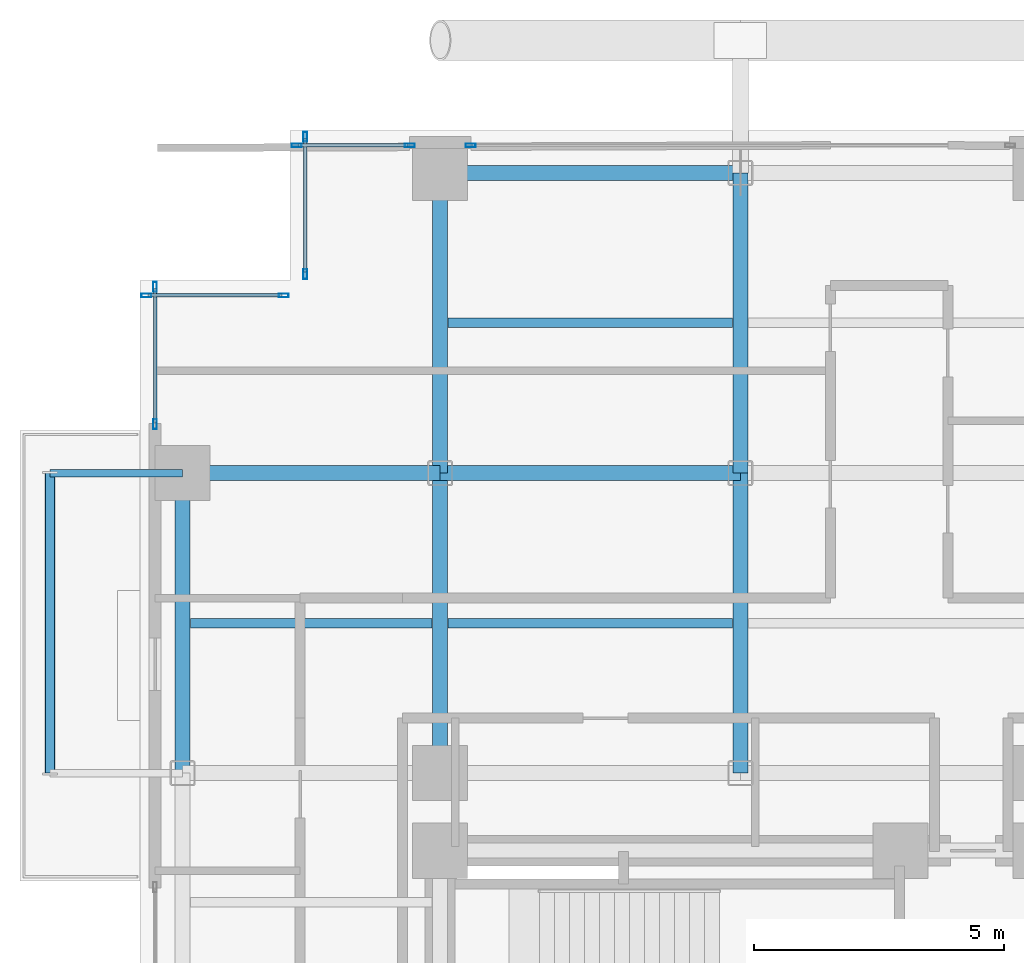
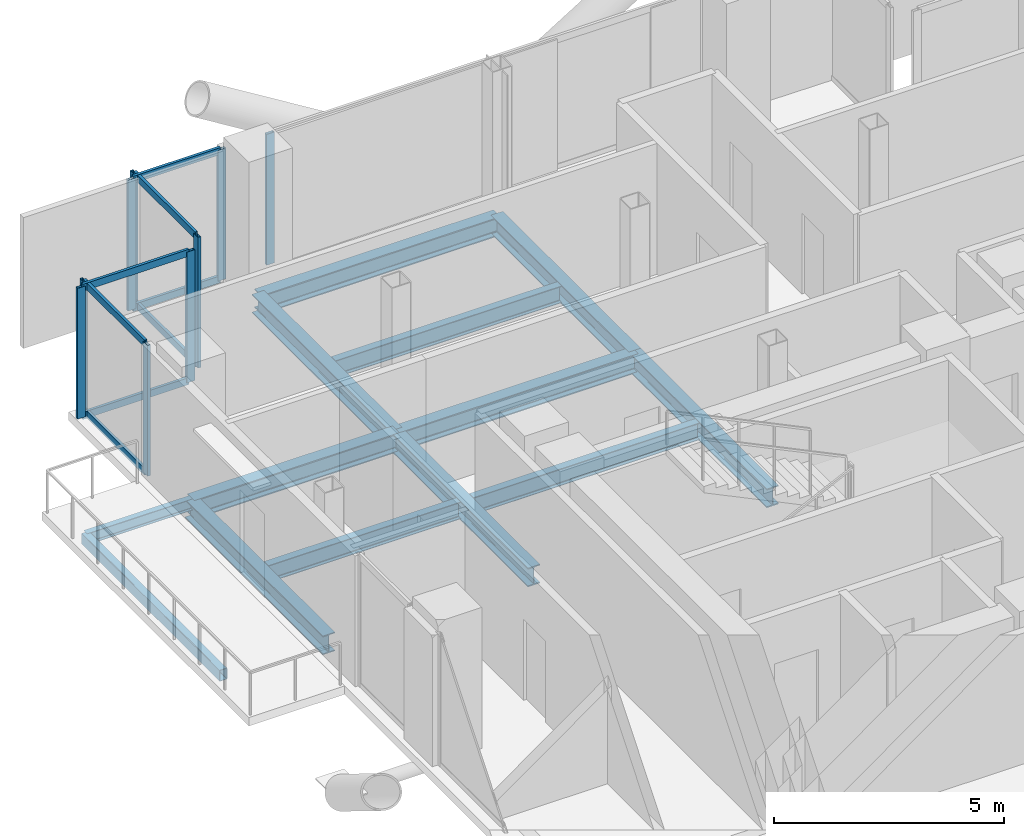
# One storey, part 15 of 28: 17 members, 13 beams, 5 elements without a shape of their own.
"""IFC4 building model written with IfcOpenShell, lengths in metres."""

from ifc_helpers import new_model, si_unit, direction, frame, origin, origin_2d, place, context, subcontext, project, spatial, hollow_rectangle, i_section, extrude, material, layer, layer_set, material_profile, profile_set, type_object, element, aggregate, save


model = new_model("IFC4")

# Units and contexts
model_context = context("Model", 3, precision=1e-05, world=origin(), true_north=direction((0.0, 1.0)))
body_context = subcontext(model_context, "Body", "Model", "MODEL_VIEW")
ifc_project = project(units=[si_unit("LENGTHUNIT", "METRE"), si_unit("AREAUNIT", "SQUARE_METRE"), si_unit("VOLUMEUNIT", "CUBIC_METRE"), si_unit("PLANEANGLEUNIT", "RADIAN"), si_unit("MASSUNIT", "GRAM", prefix="KILO"), si_unit("THERMODYNAMICTEMPERATUREUNIT", "KELVIN"), si_unit("POWERUNIT", "WATT")], contexts=[model_context])

# Site, building, storey
site_placement = place(None, origin())
site = spatial("IfcSite", under=ifc_project, at=site_placement, CompositionType="ELEMENT")
building_placement = place(site_placement, origin())
building = spatial("IfcBuilding", under=site, at=building_placement, Name="Svarakhadi Broadcast Tower", CompositionType="ELEMENT")
storey_placement = place(building_placement, frame((0.0, 0.0, 107.10009765625)))
storey = spatial("IfcBuildingStorey", under=building, at=storey_placement, Name="L25", CompositionType="ELEMENT", Elevation=107.10009765625)

# Beams
ifc_material_1 = material(Name="Steel S355J2 (IS 2062 E350C)", Category="steel")
ifc_material_profile_1 = material_profile(ifc_material_1, i_section(OverallWidth=0.18994140625, OverallDepth=0.449951171875, WebThickness=0.009521484375, FlangeThickness=0.0146484375, FilletRadius=0.02099609375, at=origin_2d()), Name="NPB 450x190x78")
ifc_profile_set_1 = profile_set([ifc_material_profile_1], Name="Steel S355J2 (IS 2062 E350C)")
beam_type_1 = type_object("IfcBeamType", Name="Beam_NPB450", PredefinedType="BEAM", material=ifc_profile_set_1)
beam_1_placement = place(storey_placement, frame((1.010009765625, 32.14990234375, -0.4501953125), z_axis=(1.0, 0.0, 0.0), x_axis=(0.0, 1.0, 0.0)))
element("IfcBeam", 1, at=beam_1_placement, inside=storey, type_object=beam_type_1, Name="L25 Secondary Composite Beam SB005", PredefinedType="BEAM", context=body_context, shape_type="SweptSolid", body=[
    extrude(i_section(OverallWidth=0.18994140625, OverallDepth=0.449951171875, WebThickness=0.009521484375, FlangeThickness=0.0146484375, FilletRadius=0.02099609375, at=origin_2d()), origin(), (0.0, 0.0, 1.0), 4.830078125),
])
for number, where, z_axis, x_axis, name in (
    (2, (6.159912109375, 32.14990234375, -0.4501953125), (1.0, 0.0, 0.0), (0.0, 1.0, 0.0), "L25 Secondary Composite Beam SB009"),
    (3, (6.159912109375, 38.14990234375, -0.4501953125), (1.0, 0.0, 0.0), (0.0, 1.0, 0.0), "L25 Secondary Composite Beam SB010"),
):
    element("IfcBeam", number, at=place(storey_placement, frame(where, z_axis=z_axis, x_axis=x_axis)), inside=storey, type_object=beam_type_1, Name=name, PredefinedType="BEAM", context=body_context, shape_type="SweptSolid", body=[
        extrude(i_section(OverallWidth=0.18994140625, OverallDepth=0.449951171875, WebThickness=0.009521484375, FlangeThickness=0.0146484375, FilletRadius=0.02099609375, at=origin_2d()), origin(), (0.0, 0.0, 1.0), 5.68017578125),
    ])

# Curtain wall, members
ifc_material_2 = material(Name="Anodised Bronze Aluminium AA 6063-T6", Category="aluminium")
ifc_layer = layer(ifc_material_2, 0.199951171875)
ifc_layer_set = layer_set([ifc_layer], Name="Anodised Bronze Aluminium AA 6063-T6")
curtain_wall_type = type_object("IfcCurtainWallType", Name="CW_Sys_03", PredefinedType="NOTDEFINED", material=ifc_layer_set)
curtain_wall_1_placement = place(storey_placement, origin())
curtain_wall_1 = element("IfcCurtainWall", 4, at=curtain_wall_1_placement, inside=storey, type_object=curtain_wall_type, Name="L25 West Curtain Wall 03", PredefinedType="NOTDEFINED")
ifc_material_profile_2 = material_profile(ifc_material_2, hollow_rectangle(XDim=0.074951171875, YDim=0.199951171875, WallThickness=0.005615234375, at=origin_2d()), Name="ALU MULLION 200x75x6")
ifc_profile_set_2 = profile_set([ifc_material_profile_2], Name="Anodised Bronze Aluminium AA 6063-T6")
member_type_1 = type_object("IfcMemberType", Name="CW_Sys_03_Mul", PredefinedType="MULLION", material=ifc_profile_set_2)
member_1_placement = place(storey_placement, frame((0.300048828125, 36.12744140625, 0.0), z_axis=(0.0, 0.0, 1.0), x_axis=(-1.0, 0.0, 0.0)))
member_1 = element("IfcMember", 5, at=member_1_placement, type_object=member_type_1, Name="CW-03 mullion 1", PredefinedType="MULLION", context=body_context, shape_type="SweptSolid", body=[
    extrude(hollow_rectangle(XDim=0.074951171875, YDim=0.199951171875, WallThickness=0.005615234375, at=origin_2d()), origin(), (0.0, 0.0, 1.0), 3.474853515625),
])
member_2_placement = place(storey_placement, frame((0.300048828125, 38.87255859375, 0.0), z_axis=(0.0, 0.0, 1.0), x_axis=(-1.0, 0.0, 0.0)))
member_2 = element("IfcMember", 6, at=member_2_placement, type_object=member_type_1, Name="CW-03 mullion 2", PredefinedType="MULLION", context=body_context, shape_type="SweptSolid", body=[
    extrude(hollow_rectangle(XDim=0.074951171875, YDim=0.199951171875, WallThickness=0.005615234375, at=origin_2d()), origin(), (0.0, 0.0, 1.0), 3.474853515625),
])

curtain_wall_2_placement = place(storey_placement, origin())
curtain_wall_2 = element("IfcCurtainWall", 7, at=curtain_wall_2_placement, inside=storey, type_object=curtain_wall_type, Name="L25 Unitised Facade Curtain Wall 04", PredefinedType="NOTDEFINED")
member_3_placement = place(storey_placement, frame((0.12744140625, 38.699951171875, 0.0), z_axis=(0.0, 0.0, 1.0), x_axis=(0.0, 1.0, 0.0)))
member_3 = element("IfcMember", 8, at=member_3_placement, type_object=member_type_1, Name="CW-03 mullion 1", PredefinedType="MULLION", context=body_context, shape_type="SweptSolid", body=[
    extrude(hollow_rectangle(XDim=0.074951171875, YDim=0.199951171875, WallThickness=0.005615234375, at=origin_2d()), origin(), (0.0, 0.0, 1.0), 3.474853515625),
])
member_4_placement = place(storey_placement, frame((2.87255859375, 38.699951171875, 0.0), z_axis=(0.0, 0.0, 1.0), x_axis=(0.0, 1.0, 0.0)))
member_4 = element("IfcMember", 9, at=member_4_placement, type_object=member_type_1, Name="CW-03 mullion 2", PredefinedType="MULLION", context=body_context, shape_type="SweptSolid", body=[
    extrude(hollow_rectangle(XDim=0.074951171875, YDim=0.199951171875, WallThickness=0.005615234375, at=origin_2d()), origin(), (0.0, 0.0, 1.0), 3.474853515625),
])

curtain_wall_3_placement = place(storey_placement, origin())
curtain_wall_3 = element("IfcCurtainWall", 10, at=curtain_wall_3_placement, inside=storey, type_object=curtain_wall_type, Name="L25 Unitised Facade Curtain Wall 05", PredefinedType="NOTDEFINED")
member_5_placement = place(storey_placement, frame((3.300048828125, 39.12744140625, 0.0), z_axis=(0.0, 0.0, 1.0), x_axis=(-1.0, 0.0, 0.0)))
member_5 = element("IfcMember", 11, at=member_5_placement, type_object=member_type_1, Name="CW-03 mullion 1", PredefinedType="MULLION", context=body_context, shape_type="SweptSolid", body=[
    extrude(hollow_rectangle(XDim=0.074951171875, YDim=0.199951171875, WallThickness=0.005615234375, at=origin_2d()), origin(), (0.0, 0.0, 1.0), 3.474853515625),
])
member_6_placement = place(storey_placement, frame((3.300048828125, 41.87255859375, 0.0), z_axis=(0.0, 0.0, 1.0), x_axis=(-1.0, 0.0, 0.0)))
member_6 = element("IfcMember", 12, at=member_6_placement, type_object=member_type_1, Name="CW-03 mullion 2", PredefinedType="MULLION", context=body_context, shape_type="SweptSolid", body=[
    extrude(hollow_rectangle(XDim=0.074951171875, YDim=0.199951171875, WallThickness=0.005615234375, at=origin_2d()), origin(), (0.0, 0.0, 1.0), 3.474853515625),
])

curtain_wall_4_placement = place(storey_placement, origin())
curtain_wall_4 = element("IfcCurtainWall", 13, at=curtain_wall_4_placement, inside=storey, type_object=curtain_wall_type, Name="L25 Unitised Facade Curtain Wall 06 Bay 1", PredefinedType="NOTDEFINED")
member_7_placement = place(storey_placement, frame((3.12744140625, 41.699951171875, 0.0), z_axis=(0.0, 0.0, 1.0), x_axis=(0.0, 1.0, 0.0)))
member_7 = element("IfcMember", 14, at=member_7_placement, type_object=member_type_1, Name="CW-03 mullion 1", PredefinedType="MULLION", context=body_context, shape_type="SweptSolid", body=[
    extrude(hollow_rectangle(XDim=0.074951171875, YDim=0.199951171875, WallThickness=0.005615234375, at=origin_2d()), origin(), (0.0, 0.0, 1.0), 3.474853515625),
])
member_8_placement = place(storey_placement, frame((5.392578125, 41.699951171875, 0.0), z_axis=(0.0, 0.0, 1.0), x_axis=(0.0, 1.0, 0.0)))
member_8 = element("IfcMember", 15, at=member_8_placement, type_object=member_type_1, Name="CW-03 mullion 2", PredefinedType="MULLION", context=body_context, shape_type="SweptSolid", body=[
    extrude(hollow_rectangle(XDim=0.074951171875, YDim=0.199951171875, WallThickness=0.005615234375, at=origin_2d()), origin(), (0.0, 0.0, 1.0), 3.474853515625),
])

# Curtain wall, member
curtain_wall_5_placement = place(storey_placement, origin())
curtain_wall_5 = element("IfcCurtainWall", 16, at=curtain_wall_5_placement, inside=storey, type_object=curtain_wall_type, Name="L25 Unitised Facade Curtain Wall 06 Bay 2", PredefinedType="NOTDEFINED")
member_9_placement = place(storey_placement, frame((6.607421875, 41.699951171875, 0.0), z_axis=(0.0, 0.0, 1.0), x_axis=(0.0, 1.0, 0.0)))
member_9 = element("IfcMember", 17, at=member_9_placement, type_object=member_type_1, Name="CW-03 mullion 1", PredefinedType="MULLION", context=body_context, shape_type="SweptSolid", body=[
    extrude(hollow_rectangle(XDim=0.074951171875, YDim=0.199951171875, WallThickness=0.005615234375, at=origin_2d()), origin(), (0.0, 0.0, 1.0), 3.474853515625),
])
aggregate(curtain_wall_5, [member_9])

# Member
ifc_material_profile_3 = material_profile(ifc_material_2, hollow_rectangle(XDim=0.070068359375, YDim=0.18505859375, WallThickness=0.0048828125, at=origin_2d()), Name="ALU TRANSOM 185x70x5")
ifc_profile_set_3 = profile_set([ifc_material_profile_3], Name="Anodised Bronze Aluminium AA 6063-T6")
member_type_2 = type_object("IfcMemberType", Name="CW_Sys_03_Trn", PredefinedType="USERDEFINED", material=ifc_profile_set_3)
member_10_placement = place(storey_placement, frame((0.300048828125, 36.1650390625, 0.034912109375), z_axis=(0.0, 1.0, 0.0), x_axis=(-1.0, 0.0, 0.0)))
member_10 = element("IfcMember", 18, at=member_10_placement, type_object=member_type_2, Name="CW-03 transom 1.1", ObjectType="TRANSOM", PredefinedType="USERDEFINED", context=body_context, shape_type="SweptSolid", body=[
    extrude(hollow_rectangle(XDim=0.070068359375, YDim=0.18505859375, WallThickness=0.0048828125, at=origin_2d()), origin(), (0.0, 0.0, 1.0), 2.669921875),
])

member_11_placement = place(storey_placement, frame((0.300048828125, 36.1650390625, 3.43994140625), z_axis=(0.0, 1.0, 0.0), x_axis=(-1.0, 0.0, 0.0)))
member_11 = element("IfcMember", 19, at=member_11_placement, type_object=member_type_2, Name="CW-03 transom 1.2", ObjectType="TRANSOM", PredefinedType="USERDEFINED", context=body_context, shape_type="SweptSolid", body=[
    extrude(hollow_rectangle(XDim=0.070068359375, YDim=0.18505859375, WallThickness=0.0048828125, at=origin_2d()), origin(), (0.0, 0.0, 1.0), 2.669921875),
])

aggregate(curtain_wall_1, [member_1, member_2, member_10, member_11])

member_12_placement = place(storey_placement, frame((0.1650390625, 38.699951171875, 0.034912109375), z_axis=(1.0, 0.0, 0.0), x_axis=(0.0, 1.0, 0.0)))
member_12 = element("IfcMember", 20, at=member_12_placement, type_object=member_type_2, Name="CW-03 transom 1.1", ObjectType="TRANSOM", PredefinedType="USERDEFINED", context=body_context, shape_type="SweptSolid", body=[
    extrude(hollow_rectangle(XDim=0.070068359375, YDim=0.18505859375, WallThickness=0.0048828125, at=origin_2d()), origin(), (0.0, 0.0, 1.0), 2.669921875),
])

member_13_placement = place(storey_placement, frame((0.1650390625, 38.699951171875, 3.43994140625), z_axis=(1.0, 0.0, 0.0), x_axis=(0.0, 1.0, 0.0)))
member_13 = element("IfcMember", 21, at=member_13_placement, type_object=member_type_2, Name="CW-03 transom 1.2", ObjectType="TRANSOM", PredefinedType="USERDEFINED", context=body_context, shape_type="SweptSolid", body=[
    extrude(hollow_rectangle(XDim=0.070068359375, YDim=0.18505859375, WallThickness=0.0048828125, at=origin_2d()), origin(), (0.0, 0.0, 1.0), 2.669921875),
])

aggregate(curtain_wall_2, [member_3, member_4, member_12, member_13])

member_14_placement = place(storey_placement, frame((3.300048828125, 39.1650390625, 0.034912109375), z_axis=(0.0, 1.0, 0.0), x_axis=(-1.0, 0.0, 0.0)))
member_14 = element("IfcMember", 22, at=member_14_placement, type_object=member_type_2, Name="CW-03 transom 1.1", ObjectType="TRANSOM", PredefinedType="USERDEFINED", context=body_context, shape_type="SweptSolid", body=[
    extrude(hollow_rectangle(XDim=0.070068359375, YDim=0.18505859375, WallThickness=0.0048828125, at=origin_2d()), origin(), (0.0, 0.0, 1.0), 2.669921875),
])

member_15_placement = place(storey_placement, frame((3.300048828125, 39.1650390625, 3.43994140625), z_axis=(0.0, 1.0, 0.0), x_axis=(-1.0, 0.0, 0.0)))
member_15 = element("IfcMember", 23, at=member_15_placement, type_object=member_type_2, Name="CW-03 transom 1.2", ObjectType="TRANSOM", PredefinedType="USERDEFINED", context=body_context, shape_type="SweptSolid", body=[
    extrude(hollow_rectangle(XDim=0.070068359375, YDim=0.18505859375, WallThickness=0.0048828125, at=origin_2d()), origin(), (0.0, 0.0, 1.0), 2.669921875),
])

aggregate(curtain_wall_3, [member_5, member_6, member_14, member_15])

member_16_placement = place(storey_placement, frame((3.1650390625, 41.699951171875, 0.034912109375), z_axis=(1.0, 0.0, 0.0), x_axis=(0.0, 1.0, 0.0)))
member_16 = element("IfcMember", 24, at=member_16_placement, type_object=member_type_2, Name="CW-03 transom 1.1", ObjectType="TRANSOM", PredefinedType="USERDEFINED", context=body_context, shape_type="SweptSolid", body=[
    extrude(hollow_rectangle(XDim=0.070068359375, YDim=0.18505859375, WallThickness=0.0048828125, at=origin_2d()), origin(), (0.0, 0.0, 1.0), 2.18994140625),
])

member_17_placement = place(storey_placement, frame((3.1650390625, 41.699951171875, 3.43994140625), z_axis=(1.0, 0.0, 0.0), x_axis=(0.0, 1.0, 0.0)))
member_17 = element("IfcMember", 25, at=member_17_placement, type_object=member_type_2, Name="CW-03 transom 1.2", ObjectType="TRANSOM", PredefinedType="USERDEFINED", context=body_context, shape_type="SweptSolid", body=[
    extrude(hollow_rectangle(XDim=0.070068359375, YDim=0.18505859375, WallThickness=0.0048828125, at=origin_2d()), origin(), (0.0, 0.0, 1.0), 2.18994140625),
])

aggregate(curtain_wall_4, [member_7, member_8, member_16, member_17])

# Beams
ifc_material_profile_4 = material_profile(ifc_material_1, i_section(OverallWidth=0.300048828125, OverallDepth=0.5, WebThickness=0.014404296875, FlangeThickness=0.028076171875, FilletRadius=0.027099609375, at=origin_2d()), Name="WPB 500x300x187")
ifc_profile_set_4 = profile_set([ifc_material_profile_4], Name="Steel S355J2 (IS 2062 E350C)")
beam_type_2 = type_object("IfcBeamType", Name="Girder_WPB500", PredefinedType="USERDEFINED", material=ifc_profile_set_4)
beam_2_placement = place(storey_placement, frame((0.85009765625, 35.14990234375, -0.47509765625), z_axis=(1.0, 0.0, 0.0), x_axis=(0.0, 1.0, 0.0)))
element("IfcBeam", 26, at=beam_2_placement, inside=storey, type_object=beam_type_2, Name="L25 Primary E-W Girder G035", ObjectType="GIRDER", PredefinedType="USERDEFINED", context=body_context, shape_type="SweptSolid", body=[
    extrude(i_section(OverallWidth=0.300048828125, OverallDepth=0.5, WebThickness=0.014404296875, FlangeThickness=0.028076171875, FilletRadius=0.027099609375, at=origin_2d()), origin(), (0.0, 0.0, 1.0), 5.14990234375),
])
for number, where, z_axis, x_axis, name in (
    (27, (6.0, 35.14990234375, -0.47509765625), (1.0, 0.0, 0.0), (0.0, 1.0, 0.0), "L25 Primary E-W Girder G036"),
    (28, (6.0, 41.14990234375, -0.47509765625), (1.0, 0.0, 0.0), (0.0, 1.0, 0.0), "L25 Primary E-W Girder G038"),
    (29, (0.85009765625, 29.14990234375, -0.47509765625), (0.0, 1.0, 0.0), (-1.0, 0.0, 0.0), "L25 Primary N-S Girder G044"),
    (30, (6.0, 29.14990234375, -0.47509765625), (0.0, 1.0, 0.0), (-1.0, 0.0, 0.0), "L25 Primary N-S Girder G049"),
    (31, (6.0, 35.14990234375, -0.47509765625), (0.0, 1.0, 0.0), (-1.0, 0.0, 0.0), "L25 Primary N-S Girder G050"),
    (32, (12.0, 29.14990234375, -0.47509765625), (0.0, 1.0, 0.0), (-1.0, 0.0, 0.0), "L25 Primary N-S Girder G054"),
    (33, (12.0, 35.14990234375, -0.47509765625), (0.0, 1.0, 0.0), (-1.0, 0.0, 0.0), "L25 Primary N-S Girder G055"),
):
    element("IfcBeam", number, at=place(storey_placement, frame(where, z_axis=z_axis, x_axis=x_axis)), inside=storey, type_object=beam_type_2, Name=name, ObjectType="GIRDER", PredefinedType="USERDEFINED", context=body_context, shape_type="SweptSolid", body=[
        extrude(i_section(OverallWidth=0.300048828125, OverallDepth=0.5, WebThickness=0.014404296875, FlangeThickness=0.028076171875, FilletRadius=0.027099609375, at=origin_2d()), origin(), (0.0, 0.0, 1.0), 6.0),
    ])
ifc_material_profile_5 = material_profile(ifc_material_1, i_section(OverallWidth=0.14990234375, OverallDepth=0.300048828125, WebThickness=0.007080078125, FlangeThickness=0.0107421875, FilletRadius=0.014892578125, at=origin_2d()), Name="NPB 300x150x37")
ifc_profile_set_5 = profile_set([ifc_material_profile_5], Name="Steel S355J2 (IS 2062 E350C)")
beam_type_3 = type_object("IfcBeamType", Name="Spandrel_NPB300", PredefinedType="SPANDREL", material=ifc_profile_set_5)
beam_3_placement = place(storey_placement, frame((0.85009765625, 35.14990234375, -0.375), z_axis=(-1.0, 0.0, 0.0), x_axis=(0.0, -1.0, 0.0)))
element("IfcBeam", 34, at=beam_3_placement, inside=storey, type_object=beam_type_3, Name="L25 Balcony Cantilever Bracket 2B", PredefinedType="SPANDREL", context=body_context, shape_type="SweptSolid", body=[
    extrude(i_section(OverallWidth=0.14990234375, OverallDepth=0.300048828125, WebThickness=0.007080078125, FlangeThickness=0.0107421875, FilletRadius=0.014892578125, at=origin_2d()), origin(), (0.0, 0.0, 1.0), 2.650146484375),
])
ifc_material_3 = material(Name="Steel S460ML (IS 2062 E450BR)", Category="steel")
ifc_material_profile_6 = material_profile(ifc_material_3, hollow_rectangle(XDim=0.199951171875, YDim=0.300048828125, WallThickness=0.012451171875, InnerFilletRadius=0.012451171875, OuterFilletRadius=0.02490234375, at=origin_2d()), Name="RHS 300x200x12.5")
ifc_profile_set_6 = profile_set([ifc_material_profile_6], Name="Steel S460ML (IS 2062 E450BR)")
beam_type_4 = type_object("IfcBeamType", Name="Spandrel_RHS300", PredefinedType="SPANDREL", material=ifc_profile_set_6)
beam_4_placement = place(storey_placement, frame((-1.800048828125, 29.14990234375, -0.375), z_axis=(0.0, 1.0, 0.0), x_axis=(-1.0, 0.0, 0.0)))
element("IfcBeam", 35, at=beam_4_placement, inside=storey, type_object=beam_type_4, Name="L25 Balcony Outer Spandrel 2F", PredefinedType="SPANDREL", context=body_context, shape_type="SweptSolid", body=[
    extrude(hollow_rectangle(XDim=0.199951171875, YDim=0.300048828125, WallThickness=0.012451171875, InnerFilletRadius=0.012451171875, OuterFilletRadius=0.02490234375, at=origin_2d()), origin(), (0.0, 0.0, 1.0), 6.0),
])

save(model, "model.ifc")
